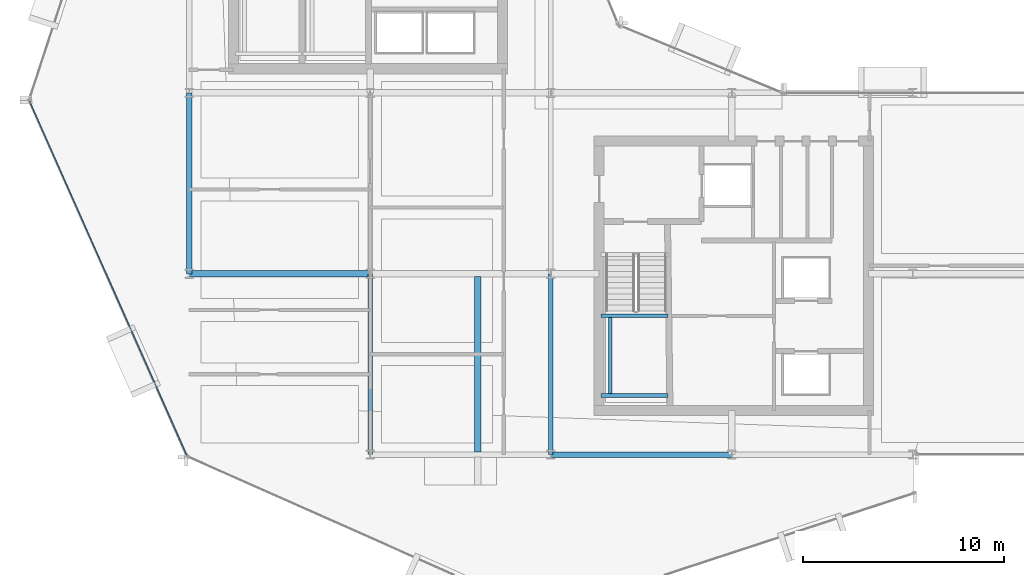
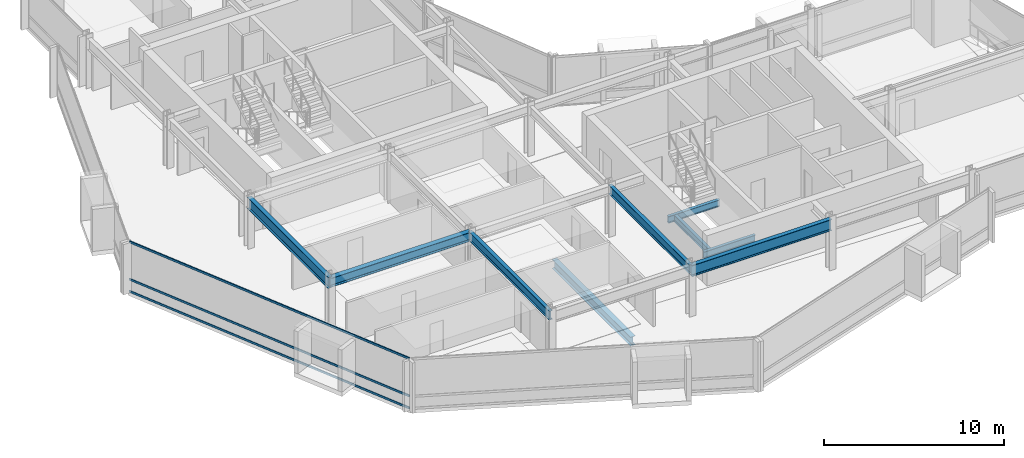
# One storey, part 5 of 28: 9 beams, 3 members, 1 element without a shape of its own.
"""IFC4 building model written with IfcOpenShell, lengths in metres."""

import ifcopenshell
import ifcopenshell.guid

model = None  # the IFC model being written
_history = None  # IfcOwnerHistory: only IFC2X3 demands one
_inside = {}  # id of a spatial element -> (the spatial element, [elements in it])
_under = {}  # id of a project, library or spatial element -> (it, [spatial elements below it])
_declared = {}  # id of a project -> (the project, [libraries it declares])
_typed = {}  # id of a type object -> (the type object, [elements of that type])
_made_of = {}  # id of a material, layer set ... -> (it, [elements and type objects made of it])


def new_model(schema):
    """Start an empty IFC model of exactly this schema.

    Asked for "IFC4X3", IfcOpenShell would pick the latest addendum, in which some entities
    have other attributes; the version numbers below select the first issue.
    IFC2X3 requires an IfcOwnerHistory on every rooted entity: one is made here for all.
    """
    global model, _history
    if schema == "IFC4X3":
        model = ifcopenshell.file(schema_version=(4, 3, 0, 0))
    else:
        model = ifcopenshell.file(schema=schema)
    _inside.clear()
    _under.clear()
    _declared.clear()
    _typed.clear()
    _made_of.clear()
    _history = None
    if model.schema == "IFC2X3":
        org = make("IfcOrganization", Name="unknown")
        user = make(
            "IfcPersonAndOrganization",
            ThePerson=make("IfcPerson", FamilyName="unknown"),
            TheOrganization=org,
        )
        app = make(
            "IfcApplication",
            ApplicationDeveloper=org,
            Version="unknown",
            ApplicationFullName="unknown",
            ApplicationIdentifier="unknown",
        )
        _history = make(
            "IfcOwnerHistory",
            OwningUser=user,
            OwningApplication=app,
            ChangeAction="ADDED",
            CreationDate=0,
        )
    return model


def make(cls, **values):
    """One entity of the class cls with the attributes given. An attribute that is None is left unset."""
    return model.create_entity(
        cls, **{name: value for name, value in values.items() if value is not None}
    )


def rooted(cls, **values):
    """An entity with a GlobalId (a new one), such as an element, a storey or a relation."""
    return make(cls, GlobalId=ifcopenshell.guid.new(), OwnerHistory=_history, **values)


def si_unit(unit_type, name, prefix=None):
    """IfcSIUnit, for example si_unit("LENGTHUNIT", "METRE", prefix="MILLI")."""
    return make("IfcSIUnit", UnitType=unit_type, Prefix=prefix, Name=name)


def assignment(units):
    """IfcUnitAssignment: the units of a project."""
    return None if units is None else make("IfcUnitAssignment", Units=units)


def point(xyz):
    """IfcCartesianPoint."""
    return None if xyz is None else make("IfcCartesianPoint", Coordinates=xyz)


def direction(xyz):
    """IfcDirection."""
    return None if xyz is None else make("IfcDirection", DirectionRatios=xyz)


def frame(location, z_axis=None, x_axis=None):
    """IfcAxis2Placement3D, a coordinate frame: its origin and axes. An axis left out is left unset."""
    return make(
        "IfcAxis2Placement3D",
        Location=point(location),
        Axis=direction(z_axis),
        RefDirection=direction(x_axis),
    )


def frame_2d(location, x_axis=None):
    """IfcAxis2Placement2D, a coordinate frame in the plane: its origin and x axis."""
    return make(
        "IfcAxis2Placement2D", Location=point(location), RefDirection=direction(x_axis)
    )


def origin():
    """The frame at (0, 0, 0) with its axes left unset."""
    return frame((0.0, 0.0, 0.0))


def origin_2d():
    """The frame at (0, 0) in the plane with its x axis left unset."""
    return frame_2d((0.0, 0.0))


def place(relative_to, where):
    """IfcLocalPlacement: puts the frame where relative to a parent placement (None: the world)."""
    return make(
        "IfcLocalPlacement", PlacementRelTo=relative_to, RelativePlacement=where
    )


def context(
    kind, dimensions, precision=None, world=None, true_north=None, identifier=None
):
    """IfcGeometricRepresentationContext, for example the 3D "Model" context."""
    return make(
        "IfcGeometricRepresentationContext",
        ContextIdentifier=identifier,
        ContextType=kind,
        CoordinateSpaceDimension=dimensions,
        Precision=precision,
        WorldCoordinateSystem=world,
        TrueNorth=true_north,
    )


def subcontext(parent, identifier, kind, view, scale=None):
    """IfcGeometricRepresentationSubContext, for example "Body" below "Model"."""
    return make(
        "IfcGeometricRepresentationSubContext",
        ContextIdentifier=identifier,
        ContextType=kind,
        ParentContext=parent,
        TargetScale=scale,
        TargetView=view,
    )


def project(units=None, contexts=None):
    """IfcProject with its units and contexts."""
    return rooted(
        "IfcProject",
        Name="project",
        RepresentationContexts=contexts,
        UnitsInContext=assignment(units),
    )


def spatial(cls, under=None, at=None, **own):
    """A site, building, storey or space (cls), placed at a placement, below another one or the project."""
    s = rooted(cls, ObjectPlacement=at, **own)
    if under is not None:
        _under.setdefault(under.id(), (under, []))[1].append(s)
    return s


def profile(cls, at=None, kind="AREA", **sizes):
    """A parametric profile (cls). Its sizes go by their IFC names, for example OverallWidth=200.0."""
    return make(cls, ProfileType=kind, Position=at, **sizes)


def hollow_rectangle(**sizes):
    """IfcRectangleHollowProfileDef."""
    return profile("IfcRectangleHollowProfileDef", **sizes)


def i_section(**sizes):
    """IfcIShapeProfileDef."""
    return profile("IfcIShapeProfileDef", **sizes)


def extrude(swept, where, along, depth):
    """IfcExtrudedAreaSolid: the profile swept, set in the frame where, extruded along a direction by depth."""
    return make(
        "IfcExtrudedAreaSolid",
        SweptArea=swept,
        Position=where,
        ExtrudedDirection=direction(along),
        Depth=depth,
    )


def shape(context_of_items, identifier, shape_type, items):
    """IfcShapeRepresentation: the items that make up one representation, for example the "Body"."""
    return make(
        "IfcShapeRepresentation",
        ContextOfItems=context_of_items,
        RepresentationIdentifier=identifier,
        RepresentationType=shape_type,
        Items=items,
    )


def material(Name=None, Category=None):
    """IfcMaterial."""
    return make("IfcMaterial", Name=Name, Category=Category)


def layer(
    of_material, thickness, ventilated=None, Name=None, Category=None, Priority=None
):
    """IfcMaterialLayer: one layer of a wall or slab, of a material (None: an air gap)."""
    return make(
        "IfcMaterialLayer",
        Material=of_material,
        LayerThickness=thickness,
        IsVentilated=ventilated,
        Name=Name,
        Category=Category,
        Priority=Priority,
    )


def layer_set(layers, Name=None):
    """IfcMaterialLayerSet."""
    return make("IfcMaterialLayerSet", MaterialLayers=layers, LayerSetName=Name)


def material_profile(
    of_material, cross_section, Name=None, Category=None, Priority=None
):
    """IfcMaterialProfile: a cross section and its material."""
    return make(
        "IfcMaterialProfile",
        Name=Name,
        Material=of_material,
        Profile=cross_section,
        Priority=Priority,
        Category=Category,
    )


def profile_set(profiles, Name=None, composite=None):
    """IfcMaterialProfileSet."""
    return make(
        "IfcMaterialProfileSet",
        Name=Name,
        MaterialProfiles=profiles,
        CompositeProfile=composite,
    )


def made_of(thing, what):
    """Note that an element or type object is made of a material, layer set ...; save() writes the relation."""
    if what is not None:
        _made_of.setdefault(what.id(), (what, []))[1].append(thing)
    return thing


def type_object(cls, material=None, **own):
    """A type object (cls), such as IfcWallType, which elements share."""
    return made_of(rooted(cls, **own), material)


def element(
    cls,
    number,
    at=None,
    inside=None,
    cuts=None,
    type_object=None,
    material=None,
    context=None,
    identifier="Body",
    shape_type=None,
    held_by="IfcProductDefinitionShape",
    body=None,
    shapes=None,
    **own,
):
    """One element of the class cls, such as IfcWall. Its Tag is "e" and its number.

    at: its placement. inside: the storey or other place that contains it. cuts: it is an
    opening in that element (IfcRelVoidsElement). A single representation is given by context,
    identifier, shape_type and body (its items); several are given by shapes. held_by: the class
    of the entity that holds the representations. save() writes the other relations.
    """
    e = rooted(cls, Tag="e%d" % number, ObjectPlacement=at, **own)
    if body is not None:
        shapes = [shape(context, identifier, shape_type, body)]
    if shapes is not None:
        e.Representation = make(held_by, Representations=shapes)
    if inside is not None:
        _inside.setdefault(inside.id(), (inside, []))[1].append(e)
    if cuts is not None:
        rooted(
            "IfcRelVoidsElement", RelatingBuildingElement=cuts, RelatedOpeningElement=e
        )
    if type_object is not None:
        _typed.setdefault(type_object.id(), (type_object, []))[1].append(e)
    return made_of(e, material)


def aggregate(whole, parts):
    """IfcRelAggregates: a whole, such as a stair, and the parts it consists of."""
    return rooted("IfcRelAggregates", RelatingObject=whole, RelatedObjects=parts)


def save(model, path):
    """Write the relations noted so far, then the file.

    IfcRelAggregates (storeys below a building ...), IfcRelContainedInSpatialStructure (elements
    in a storey), IfcRelDefinesByType, IfcRelAssociatesMaterial and IfcRelDeclares: one each for
    every whole, place, type object, material and project.
    """
    for whole, parts in _under.values():
        aggregate(whole, parts)
    for where, things in _inside.values():
        rooted(
            "IfcRelContainedInSpatialStructure",
            RelatedElements=things,
            RelatingStructure=where,
        )
    for kind, things in _typed.values():
        rooted("IfcRelDefinesByType", RelatedObjects=things, RelatingType=kind)
    for what, things in _made_of.values():
        rooted("IfcRelAssociatesMaterial", RelatedObjects=things, RelatingMaterial=what)
    for by, libraries in _declared.values():
        rooted("IfcRelDeclares", RelatingContext=by, RelatedDefinitions=libraries)
    model.write(path)


model = new_model("IFC4")

# Units and contexts
model_context = context("Model", 3, precision=1e-05, world=origin(), true_north=direction((0.0, 1.0)))
body_context = subcontext(model_context, "Body", "Model", "MODEL_VIEW")
ifc_project = project(units=[si_unit("LENGTHUNIT", "METRE"), si_unit("AREAUNIT", "SQUARE_METRE"), si_unit("VOLUMEUNIT", "CUBIC_METRE"), si_unit("PLANEANGLEUNIT", "RADIAN"), si_unit("MASSUNIT", "GRAM", prefix="KILO")], contexts=[model_context])

# Site, building, storey
site_placement = place(None, origin())
site = spatial("IfcSite", under=ifc_project, at=site_placement, CompositionType="ELEMENT")
building_placement = place(site_placement, origin())
building = spatial("IfcBuilding", under=site, at=building_placement, Name="Solvaryn Broadcast Tower", CompositionType="ELEMENT")
storey_placement = place(building_placement, frame((0.0, 0.0, 135.89990234375)))
storey = spatial("IfcBuildingStorey", under=building, at=storey_placement, Name="L33", CompositionType="ELEMENT", Elevation=135.89990234375)

# Beams
ifc_material_1 = material(Name="Steel ASTM A992 Grade 50", Category="steel")
ifc_material_profile_1 = material_profile(ifc_material_1, i_section(OverallWidth=0.323974609375, OverallDepth=0.611083984375, WebThickness=0.0126953125, FlangeThickness=0.01904296875, FilletRadius=0.014892578125, at=origin_2d()))
ifc_profile_set_1 = profile_set([ifc_material_profile_1], Name="Steel ASTM A992 Grade 50")
beam_type_1 = type_object("IfcBeamType", Name="BM-B1-W24X104", PredefinedType="BEAM", material=ifc_profile_set_1)
beam_1_placement = place(storey_placement, frame((23.35009765625, 17.875, -0.58544921875), z_axis=(0.0, -1.0, 0.0), x_axis=(1.0, 0.0, 0.0)))
element("IfcBeam", 1, at=beam_1_placement, inside=storey, type_object=beam_type_1, Name="L33 Bay-Box Back-Span Beam 1", PredefinedType="BEAM", context=body_context, shape_type="SweptSolid", body=[
    extrude(i_section(OverallWidth=0.323974609375, OverallDepth=0.611083984375, WebThickness=0.0126953125, FlangeThickness=0.01904296875, FilletRadius=0.014892578125, at=origin_2d()), origin(), (0.0, 0.0, 1.0), 8.75),
])
beam_2_placement = place(storey_placement, frame((9.0, 18.0, 3.114501953125), z_axis=(1.0, 0.0, 0.0), x_axis=(0.0, 1.0, 0.0)))
element("IfcBeam", 2, at=beam_2_placement, inside=storey, type_object=beam_type_1, Name="L33 Primary Beam X (9-18 @ Y=18)", PredefinedType="BEAM", context=body_context, shape_type="SweptSolid", body=[
    extrude(i_section(OverallWidth=0.323974609375, OverallDepth=0.611083984375, WebThickness=0.0126953125, FlangeThickness=0.01904296875, FilletRadius=0.014892578125, at=origin_2d()), origin(), (0.0, 0.0, 1.0), 9.0),
])
ifc_material_2 = material(Name="Steel ASTM A992 Grade 50", Category="steel")
ifc_material_profile_2 = material_profile(ifc_material_2, i_section(OverallWidth=0.22802734375, OverallDepth=0.60791015625, WebThickness=0.01123046875, FlangeThickness=0.017333984375, FilletRadius=0.014892578125, at=origin_2d()))
ifc_profile_set_2 = profile_set([ifc_material_profile_2], Name="Steel ASTM A992 Grade 50")
beam_type_2 = type_object("IfcBeamType", Name="BM-B2-W24X76", PredefinedType="BEAM", material=ifc_profile_set_2)
for number, where, z_axis, x_axis, name in (
    (3, (18.0, 9.0, 3.1162109375), (0.0, 1.0, 0.0), (-1.0, 0.0, 0.0), "L33 Primary Beam Y (9-18 @ X=18)"),
    (4, (27.0, 9.0, 3.1162109375), (0.0, 1.0, 0.0), (-1.0, 0.0, 0.0), "L33 Primary Beam Y (9-18 @ X=27)"),
):
    element("IfcBeam", number, at=place(storey_placement, frame(where, z_axis=z_axis, x_axis=x_axis)), inside=storey, type_object=beam_type_2, Name=name, PredefinedType="BEAM", context=body_context, shape_type="SweptSolid", body=[
        extrude(i_section(OverallWidth=0.22802734375, OverallDepth=0.60791015625, WebThickness=0.01123046875, FlangeThickness=0.017333984375, FilletRadius=0.014892578125, at=origin_2d()), origin(), (0.0, 0.0, 1.0), 9.0),
    ])
ifc_material_3 = material(Name="Steel ASTM A992 Grade 50", Category="steel")
ifc_material_profile_3 = material_profile(ifc_material_3, i_section(OverallWidth=0.18994140625, OverallDepth=0.45703125, WebThickness=0.009033203125, FlangeThickness=0.014404296875, FilletRadius=0.011962890625, at=origin_2d()))
ifc_profile_set_3 = profile_set([ifc_material_profile_3], Name="Steel ASTM A992 Grade 50")
beam_type_3 = type_object("IfcBeamType", Name="BM-B4-W18X50", PredefinedType="BEAM", material=ifc_profile_set_3)
for number, where, z_axis, x_axis, name in (
    (5, (29.5, 11.949951171875, 1.421630859375), (1.0, 0.0, 0.0), (0.0, 1.0, 0.0), "L33 ST3 Landing Support Beam 1A"),
    (6, (29.5, 15.909912109375, 1.421630859375), (1.0, 0.0, 0.0), (0.0, 1.0, 0.0), "L33 ST3 Landing Support Beam 1B"),
):
    element("IfcBeam", number, at=place(storey_placement, frame(where, z_axis=z_axis, x_axis=x_axis)), inside=storey, type_object=beam_type_3, Name=name, PredefinedType="BEAM", context=body_context, shape_type="SweptSolid", body=[
        extrude(i_section(OverallWidth=0.18994140625, OverallDepth=0.45703125, WebThickness=0.009033203125, FlangeThickness=0.014404296875, FilletRadius=0.011962890625, at=origin_2d()), origin(), (0.0, 0.0, 1.0), 3.320068359375),
    ])
beam_3_placement = place(storey_placement, frame((29.949951171875, 11.949951171875, 1.421630859375), z_axis=(0.0, 1.0, 0.0), x_axis=(-1.0, 0.0, 0.0)))
element("IfcBeam", 7, at=beam_3_placement, inside=storey, type_object=beam_type_3, Name="L33 ST3 Landing Cross Stringer 1C", PredefinedType="BEAM", context=body_context, shape_type="SweptSolid", body=[
    extrude(i_section(OverallWidth=0.18994140625, OverallDepth=0.45703125, WebThickness=0.009033203125, FlangeThickness=0.014404296875, FilletRadius=0.011962890625, at=origin_2d()), origin(), (0.0, 0.0, 1.0), 3.9599609375),
])
ifc_material_4 = material(Name="Steel ASTM A992 Grade 50", Category="steel")
ifc_material_profile_4 = material_profile(ifc_material_4, i_section(OverallWidth=0.26708984375, OverallDepth=0.76611328125, WebThickness=0.014892578125, FlangeThickness=0.023681640625, FilletRadius=0.01806640625, at=origin_2d()))
ifc_profile_set_4 = profile_set([ifc_material_profile_4], Name="Steel ASTM A992 Grade 50")
beam_type_4 = type_object("IfcBeamType", Name="BM-SP2-W30X124", PredefinedType="USERDEFINED", material=ifc_profile_set_4)
for number, where, z_axis, x_axis, name in (
    (8, (27.0, 9.0, 3.037109375), (1.0, 0.0, 0.0), (0.0, 1.0, 0.0), "L33 Spandrel Beam X (27-36 @ Y=9)"),
    (9, (9.0, 18.0, 3.037109375), (0.0, 1.0, 0.0), (-1.0, 0.0, 0.0), "L33 Spandrel Beam Y (18-27 @ X=9)"),
):
    element("IfcBeam", number, at=place(storey_placement, frame(where, z_axis=z_axis, x_axis=x_axis)), inside=storey, type_object=beam_type_4, Name=name, ObjectType="SPANDREL", PredefinedType="USERDEFINED", context=body_context, shape_type="SweptSolid", body=[
        extrude(i_section(OverallWidth=0.26708984375, OverallDepth=0.76611328125, WebThickness=0.014892578125, FlangeThickness=0.023681640625, FilletRadius=0.01806640625, at=origin_2d()), origin(), (0.0, 0.0, 1.0), 9.0),
    ])

# Curtain wall, members
ifc_material_5 = material(Name="Aluminium and Terracotta Unitised Curtain Wall", Category="masonry")
ifc_layer = layer(ifc_material_5, 0.199951171875)
ifc_layer_set = layer_set([ifc_layer], Name="CW-SYS2-LOWMID")
curtain_wall_type = type_object("IfcCurtainWallType", Name="CW-SYS2-LOWMID", PredefinedType="NOTDEFINED", material=ifc_layer_set)
curtain_wall_placement = place(storey_placement, origin())
curtain_wall = element("IfcCurtainWall", 10, at=curtain_wall_placement, inside=storey, type_object=curtain_wall_type, Name="L33 Curtain Wall DR2", PredefinedType="NOTDEFINED")
ifc_material_6 = material(Name="Anodised Aluminium 6063-T6", Category="aluminium")
ifc_material_profile_5 = material_profile(ifc_material_6, hollow_rectangle(XDim=0.06494140625, YDim=0.14990234375, WallThickness=0.00390625, InnerFilletRadius=0.00390625, OuterFilletRadius=0.008056640625, at=origin_2d()))
ifc_profile_set_5 = profile_set([ifc_material_profile_5], Name="Anodised Aluminium 6063-T6")
member_type = type_object("IfcMemberType", Name="CW-TRN-150", PredefinedType="USERDEFINED", material=ifc_profile_set_5)
member_1_placement = place(storey_placement, frame((1.058349609375, 26.5810546875, 0.030029296875), z_axis=(0.405917546252, -0.913909703223, 0.0), x_axis=(0.913909703223, 0.405917546252, 0.0)))
member_1 = element("IfcMember", 11, at=member_1_placement, type_object=member_type, Name="CWS2 transom 1.1", ObjectType="TRANSOM", PredefinedType="USERDEFINED", context=body_context, shape_type="SweptSolid", body=[
    extrude(hollow_rectangle(XDim=0.06494140625, YDim=0.14990234375, WallThickness=0.00390625, InnerFilletRadius=0.00390625, OuterFilletRadius=0.008056640625, at=origin_2d()), origin(), (0.0, 0.0, 1.0), 19.27783203125),
])
member_2_placement = place(storey_placement, frame((1.058349609375, 26.5810546875, 0.85009765625), z_axis=(0.405917546252, -0.913909703223, 0.0), x_axis=(0.913909703223, 0.405917546252, 0.0)))
member_2 = element("IfcMember", 12, at=member_2_placement, type_object=member_type, Name="CWS2 transom 1.2", ObjectType="TRANSOM", PredefinedType="USERDEFINED", context=body_context, shape_type="SweptSolid", body=[
    extrude(hollow_rectangle(XDim=0.06494140625, YDim=0.14990234375, WallThickness=0.00390625, InnerFilletRadius=0.00390625, OuterFilletRadius=0.008056640625, at=origin_2d()), origin(), (0.0, 0.0, 1.0), 19.27783203125),
])
member_3_placement = place(storey_placement, frame((1.058349609375, 26.5810546875, 3.39013671875), z_axis=(0.405917546252, -0.913909703223, 0.0), x_axis=(0.913909703223, 0.405917546252, 0.0)))
member_3 = element("IfcMember", 13, at=member_3_placement, type_object=member_type, Name="CWS2 transom 1.3", ObjectType="TRANSOM", PredefinedType="USERDEFINED", context=body_context, shape_type="SweptSolid", body=[
    extrude(hollow_rectangle(XDim=0.06494140625, YDim=0.14990234375, WallThickness=0.00390625, InnerFilletRadius=0.00390625, OuterFilletRadius=0.008056640625, at=origin_2d()), origin(), (0.0, 0.0, 1.0), 19.27783203125),
])
aggregate(curtain_wall, [member_1, member_2, member_3])

save(model, "model.ifc")
